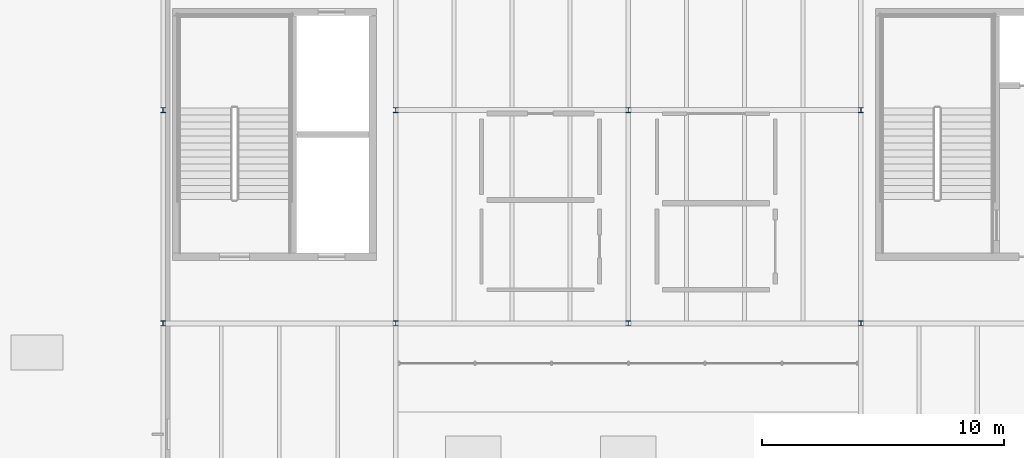
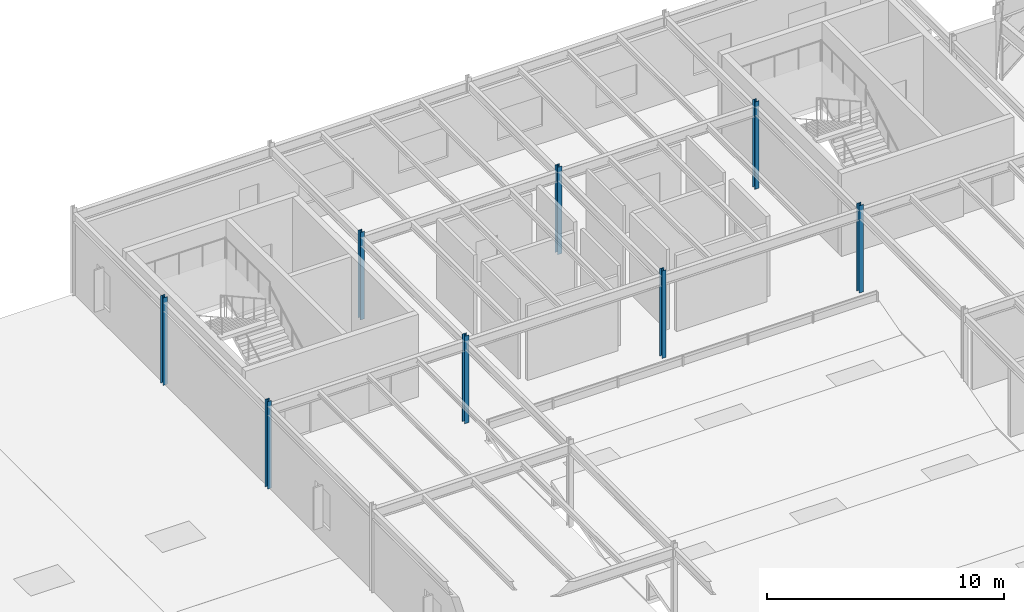
# One storey, part 3 of 50: 8 columns.
"""IFC4 building model written with IfcOpenShell, lengths in metres."""

from ifc_helpers import new_model, si_unit, direction, frame, origin, origin_2d, place, context, subcontext, project, spatial, i_section, extrude, material, material_profile, profile_set, type_object, element, save


model = new_model("IFC4")

# Units and contexts
model_context = context("Model", 3, precision=1e-05, world=origin(), true_north=direction((0.0, 1.0)))
body_context = subcontext(model_context, "Body", "Model", "MODEL_VIEW")
ifc_project = project(units=[si_unit("LENGTHUNIT", "METRE"), si_unit("AREAUNIT", "SQUARE_METRE"), si_unit("VOLUMEUNIT", "CUBIC_METRE"), si_unit("PLANEANGLEUNIT", "RADIAN"), si_unit("MASSUNIT", "GRAM", prefix="KILO")], contexts=[model_context])

# Site, building, storey
site_placement = place(None, origin())
site = spatial("IfcSite", under=ifc_project, at=site_placement, CompositionType="ELEMENT")
building_placement = place(site_placement, origin())
building = spatial("IfcBuilding", under=site, at=building_placement, Name="Sarnbrook Museum", CompositionType="ELEMENT")
storey_placement = place(building_placement, frame((0.0, 0.0, 28.10009765625)))
storey = spatial("IfcBuildingStorey", under=building, at=storey_placement, Name="L05", CompositionType="ELEMENT", Elevation=28.10009765625)

# Columns
ifc_material = material(Name="Structural Steel Grade 300PLUS (AS/NZS 3679.1, fy = 280 MPa for 17 < t <= 40 mm, 300 MPa for t <= 17 mm)", Category="steel")
ifc_material_profile = material_profile(ifc_material, i_section(OverallWidth=0.205078125, OverallDepth=0.2099609375, WebThickness=0.00927734375, FlangeThickness=0.01416015625, FilletRadius=0.01025390625, at=origin_2d()), Name="200UC59.5")
ifc_profile_set = profile_set([ifc_material_profile], Name="Structural Steel Grade 300PLUS (AS/NZS 3679.1, fy = 280 MPa for 17 < t <= 40 mm, 300 MPa for t <= 17 mm)")
column_type = type_object("IfcColumnType", Name="COL-UC200", PredefinedType="COLUMN", material=ifc_profile_set)
for number, where, z_axis, x_axis, name in (
    (1, (90.39990234375, 92.0, 0.0), (0.0, 0.0, 1.0), (1.0, 0.0, 0.0), "Column 10-L L05"),
    (2, (90.39990234375, 100.800048828125, 0.0), (0.0, 0.0, 1.0), (1.0, 0.0, 0.0), "Column 10-M L05"),
    (3, (100.0, 92.0, 0.0), (0.0, 0.0, 1.0), (1.0, 0.0, 0.0), "Column 11-L L05"),
    (4, (100.0, 100.800048828125, 0.0), (0.0, 0.0, 1.0), (1.0, 0.0, 0.0), "Column 11-M L05"),
    (5, (109.60009765625, 92.0, 0.0), (0.0, 0.0, 1.0), (1.0, 0.0, 0.0), "Column 12-L L05"),
    (6, (109.60009765625, 100.800048828125, 0.0), (0.0, 0.0, 1.0), (1.0, 0.0, 0.0), "Column 12-M L05"),
    (7, (80.800048828125, 92.0, 0.0), (0.0, 0.0, 1.0), (1.0, 0.0, 0.0), "Column 9-L L05"),
    (8, (80.800048828125, 100.800048828125, 0.0), (0.0, 0.0, 1.0), (1.0, 0.0, 0.0), "Column 9-M L05"),
):
    element("IfcColumn", number, at=place(storey_placement, frame(where, z_axis=z_axis, x_axis=x_axis)), inside=storey, type_object=column_type, Name=name, PredefinedType="COLUMN", context=body_context, shape_type="SweptSolid", body=[
        extrude(i_section(OverallWidth=0.205078125, OverallDepth=0.2099609375, WebThickness=0.00927734375, FlangeThickness=0.01416015625, FilletRadius=0.01025390625, at=origin_2d()), origin(), (0.0, 0.0, 1.0), 4.5),
    ])

save(model, "model.ifc")
